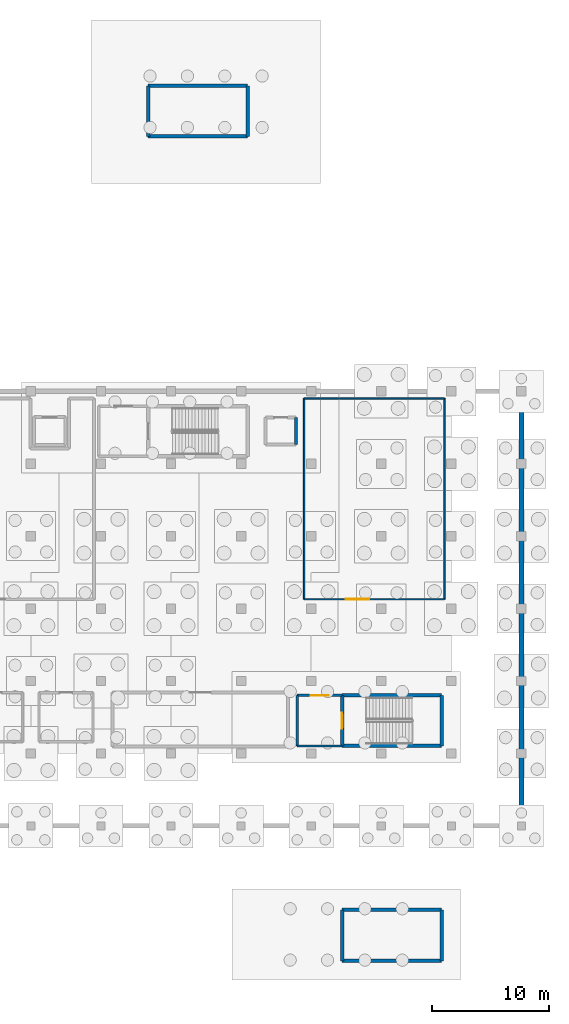
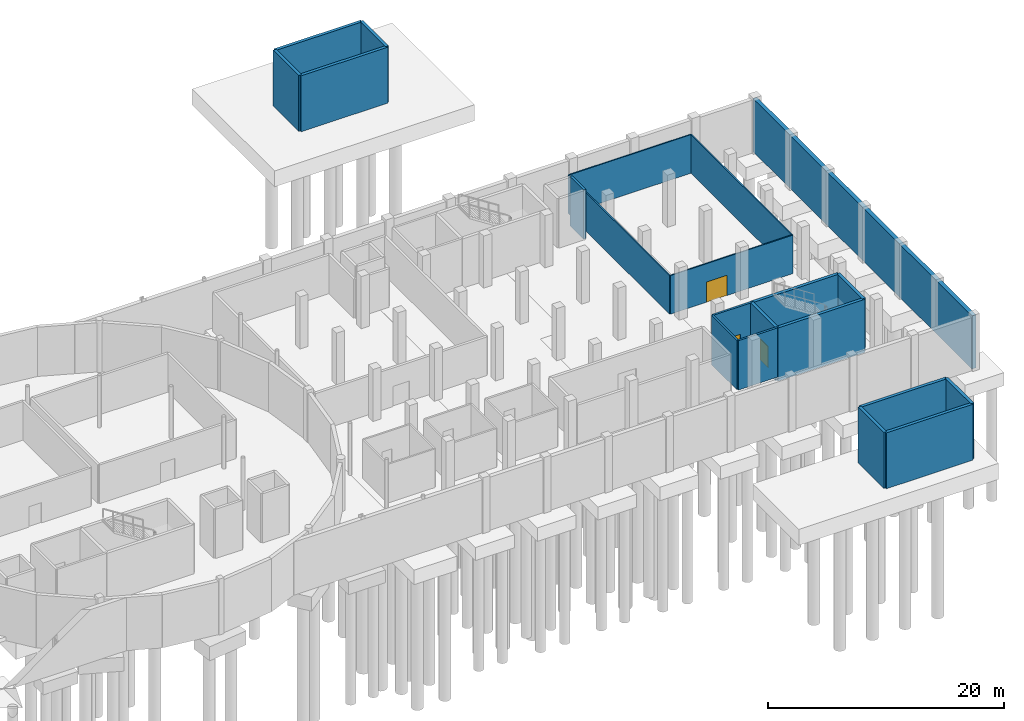
# One storey, part 14 of 19: 21 walls, 3 doors, 3 openings.
"""IFC4 building model written with IfcOpenShell, lengths in metres."""

from ifc_helpers import new_model, si_unit, direction, frame, frame_2d, origin, place, context, subcontext, project, spatial, rectangle, extrude, material, layer, layer_set, type_object, element, fill, save


model = new_model("IFC4")

# Units and contexts
model_context = context("Model", 3, precision=1e-05, world=origin(), true_north=direction((0.0, 1.0)))
body_context = subcontext(model_context, "Body", "Model", "MODEL_VIEW")
ifc_project = project(units=[si_unit("LENGTHUNIT", "METRE"), si_unit("AREAUNIT", "SQUARE_METRE"), si_unit("VOLUMEUNIT", "CUBIC_METRE"), si_unit("PLANEANGLEUNIT", "RADIAN"), si_unit("MASSUNIT", "GRAM", prefix="KILO")], contexts=[model_context])

# Site, building, storey
site_placement = place(None, origin())
site = spatial("IfcSite", under=ifc_project, at=site_placement, CompositionType="ELEMENT")
building_placement = place(site_placement, origin())
building = spatial("IfcBuilding", under=site, at=building_placement, Name="Mirzam Square Science Centre", CompositionType="ELEMENT")
storey_placement = place(building_placement, frame((0.0, 0.0, -5.39990234375)))
storey = spatial("IfcBuildingStorey", under=building, at=storey_placement, Name="B01", CompositionType="ELEMENT", Elevation=-5.39990234375)

# Walls
ifc_material_1 = material(Name="Concrete C45/55", Category="concrete")
ifc_layer_1 = layer(ifc_material_1, 0.300048828125)
ifc_layer_set_1 = layer_set([ifc_layer_1], Name="W-CORE-300")
wall_type_1 = type_object("IfcWallType", Name="W-CORE-300", PredefinedType="SHEAR", material=ifc_layer_set_1)
for number, where, z_axis, x_axis, name in (
    (1, (140.639892578125, 50.239990234375, -0.400146484375), (0.0, 0.0, 1.0), (1.0, 0.0, 0.0), "B01 CORE-5 south wall"),
    (2, (149.159912109375, 54.570068359375, -0.400146484375), (0.0, 0.0, 1.0), (-1.0, 0.0, 0.0), "B01 CORE-5 north wall"),
):
    element("IfcWall", number, at=place(storey_placement, frame(where, z_axis=z_axis, x_axis=x_axis)), inside=storey, type_object=wall_type_1, Name=name, PredefinedType="SHEAR", context=body_context, shape_type="SweptSolid", body=[
        extrude(rectangle(XDim=8.52001953125, YDim=0.300048828125, at=frame_2d((4.260009765625, 0.0))), origin(), (0.0, 0.0, 1.0), 5.5),
    ])

# Wall, opening, door
wall_1_placement = place(storey_placement, frame((140.639892578125, 54.570068359375, -0.400146484375), z_axis=(0.0, 0.0, 1.0), x_axis=(0.0, -1.0, 0.0)))
wall_1 = element("IfcWall", 3, at=wall_1_placement, inside=storey, type_object=wall_type_1, Name="B01 CORE-5 west wall", PredefinedType="SHEAR", context=body_context, shape_type="SweptSolid", body=[
    extrude(rectangle(XDim=4.330078125, YDim=0.300048828125, at=frame_2d((2.1650390625, 0.0))), origin(), (0.0, 0.0, 1.0), 5.5),
])
opening_1_placement = place(wall_1_placement, frame((1.489990234375, 0.0, 0.39990234375)))
opening_1 = element("IfcOpeningElement", 4, at=opening_1_placement, cuts=wall_1, Name="Opening DS-01", PredefinedType="OPENING", context=body_context, shape_type="SweptSolid", body=[
    extrude(rectangle(XDim=1.35009765625, YDim=2.199951171875, at=frame_2d((0.675048828125, 1.10009765625))), frame((0.0, 0.159912109375, 0.0), z_axis=(0.0, -1.0, 0.0), x_axis=(1.0, 0.0, 0.0)), (0.0, 0.0, 1.0), 0.320068359375),
])
ifc_material_2 = material(Name="Fire-Rated Powder-Coated Architectural Steel Door", Category="steel")
door_type_1 = type_object("IfcDoorType", Name="DR-STAIR-1350x2200", OperationType="NOTDEFINED", PredefinedType="DOOR", material=ifc_material_2)
door_1_placement = place(opening_1_placement, origin())
door_1 = element("IfcDoor", 5, at=door_1_placement, inside=storey, type_object=door_type_1, Name="DRS-5-B01", OperationType="SINGLE_SWING_LEFT", OverallHeight=2.199951171875, OverallWidth=1.35009765625, PredefinedType="DOOR", context=body_context, shape_type="SweptSolid", body=[
    extrude(rectangle(XDim=1.35009765625, YDim=2.199951171875, at=frame_2d((0.675048828125, 1.10009765625))), frame((0.0, 0.02490234375, 0.0), z_axis=(0.0, -1.0, 0.0), x_axis=(1.0, 0.0, 0.0)), (0.0, 0.0, 1.0), 0.050048828125),
])
fill(opening_1, door_1)

# Walls
wall_2_placement = place(storey_placement, frame((149.159912109375, 50.239990234375, -0.400146484375), z_axis=(0.0, 0.0, 1.0), x_axis=(0.0, 1.0, 0.0)))
element("IfcWall", 6, at=wall_2_placement, inside=storey, type_object=wall_type_1, Name="B01 CORE-5 east wall", PredefinedType="SHEAR", context=body_context, shape_type="SweptSolid", body=[
    extrude(rectangle(XDim=4.330078125, YDim=0.300048828125, at=frame_2d((2.1650390625, 0.0))), origin(), (0.0, 0.0, 1.0), 5.5),
])
for number, where, z_axis, x_axis, name in (
    (7, (140.639892578125, 31.840087890625, -0.400146484375), (0.0, 0.0, 1.0), (1.0, 0.0, 0.0), "B01 CORE-6 foundation south wall"),
    (8, (149.159912109375, 36.2099609375, -0.400146484375), (0.0, 0.0, 1.0), (-1.0, 0.0, 0.0), "B01 CORE-6 foundation north wall"),
):
    element("IfcWall", number, at=place(storey_placement, frame(where, z_axis=z_axis, x_axis=x_axis)), inside=storey, type_object=wall_type_1, Name=name, PredefinedType="SHEAR", context=body_context, shape_type="SweptSolid", body=[
        extrude(rectangle(XDim=8.52001953125, YDim=0.300048828125, at=frame_2d((4.260009765625, 0.0))), origin(), (0.0, 0.0, 1.0), 5.800048828125),
    ])
for number, where, z_axis, x_axis, name in (
    (9, (140.639892578125, 36.2099609375, -0.400146484375), (0.0, 0.0, 1.0), (0.0, -1.0, 0.0), "B01 CORE-6 foundation west wall"),
    (10, (149.159912109375, 31.840087890625, -0.400146484375), (0.0, 0.0, 1.0), (0.0, 1.0, 0.0), "B01 CORE-6 foundation east wall"),
):
    element("IfcWall", number, at=place(storey_placement, frame(where, z_axis=z_axis, x_axis=x_axis)), inside=storey, type_object=wall_type_1, Name=name, PredefinedType="SHEAR", context=body_context, shape_type="SweptSolid", body=[
        extrude(rectangle(XDim=4.369873046875, YDim=0.300048828125, at=frame_2d((2.18505859375, 0.0))), origin(), (0.0, 0.0, 1.0), 5.800048828125),
    ])
for number, where, z_axis, x_axis, name in (
    (11, (124.0400390625, 102.43994140625, -0.400146484375), (0.0, 0.0, 1.0), (1.0, 0.0, 0.0), "B01 CORE-7 foundation south wall"),
    (12, (132.56005859375, 106.77001953125, -0.400146484375), (0.0, 0.0, 1.0), (-1.0, 0.0, 0.0), "B01 CORE-7 foundation north wall"),
):
    element("IfcWall", number, at=place(storey_placement, frame(where, z_axis=z_axis, x_axis=x_axis)), inside=storey, type_object=wall_type_1, Name=name, PredefinedType="SHEAR", context=body_context, shape_type="SweptSolid", body=[
        extrude(rectangle(XDim=8.52001953125, YDim=0.300048828125, at=frame_2d((4.260009765625, 0.0))), origin(), (0.0, 0.0, 1.0), 5.800048828125),
    ])
for number, where, z_axis, x_axis, name in (
    (13, (124.0400390625, 106.77001953125, -0.400146484375), (0.0, 0.0, 1.0), (0.0, -1.0, 0.0), "B01 CORE-7 foundation west wall"),
    (14, (132.56005859375, 102.43994140625, -0.400146484375), (0.0, 0.0, 1.0), (0.0, 1.0, 0.0), "B01 CORE-7 foundation east wall"),
):
    element("IfcWall", number, at=place(storey_placement, frame(where, z_axis=z_axis, x_axis=x_axis)), inside=storey, type_object=wall_type_1, Name=name, PredefinedType="SHEAR", context=body_context, shape_type="SweptSolid", body=[
        extrude(rectangle(XDim=4.330078125, YDim=0.300048828125, at=frame_2d((2.1650390625, 0.0))), origin(), (0.0, 0.0, 1.0), 5.800048828125),
    ])
ifc_layer_2 = layer(ifc_material_1, 0.199951171875)
ifc_layer_set_2 = layer_set([ifc_layer_2], Name="W-LOBBY-200")
wall_type_2 = type_object("IfcWallType", Name="W-LOBBY-200", PredefinedType="SHEAR", material=ifc_layer_set_2)
wall_3_placement = place(storey_placement, frame((136.800048828125, 50.239990234375, 0.0), z_axis=(0.0, 0.0, 1.0), x_axis=(1.0, 0.0, 0.0)))
element("IfcWall", 15, at=wall_3_placement, inside=storey, type_object=wall_type_2, Name="B01 CORE-5 lobby south wall", PredefinedType="SHEAR", context=body_context, shape_type="SweptSolid", body=[
    extrude(rectangle(XDim=3.83984375, YDim=0.199951171875, at=frame_2d((1.919921875, 0.0))), origin(), (0.0, 0.0, 1.0), 5.099853515625),
])

# Wall, opening, door
wall_4_placement = place(storey_placement, frame((140.639892578125, 54.570068359375, 0.0), z_axis=(0.0, 0.0, 1.0), x_axis=(-1.0, 0.0, 0.0)))
wall_4 = element("IfcWall", 16, at=wall_4_placement, inside=storey, type_object=wall_type_2, Name="B01 CORE-5 lobby north wall", PredefinedType="SHEAR", context=body_context, shape_type="SweptSolid", body=[
    extrude(rectangle(XDim=3.83984375, YDim=0.199951171875, at=frame_2d((1.919921875, 0.0))), origin(), (0.0, 0.0, 1.0), 5.099853515625),
])
opening_2_placement = place(wall_4_placement, frame((1.14501953125, 0.0, 0.0)))
opening_2 = element("IfcOpeningElement", 17, at=opening_2_placement, cuts=wall_4, Name="Opening DL-01", PredefinedType="OPENING", context=body_context, shape_type="SweptSolid", body=[
    extrude(rectangle(XDim=1.550048828125, YDim=2.199951171875, at=frame_2d((0.77490234375, 1.10009765625))), frame((0.0, 0.10986328125, 0.0), z_axis=(0.0, -1.0, 0.0), x_axis=(1.0, 0.0, 0.0)), (0.0, 0.0, 1.0), 0.219970703125),
])
ifc_material_3 = material(Name="Fire-Rated Glazed Architectural Steel Lobby Door", Category="steel")
door_type_2 = type_object("IfcDoorType", Name="DR-LOBBY-1550x2200", OperationType="DOUBLE_DOOR_SINGLE_SWING", PredefinedType="DOOR", material=ifc_material_3)
door_2_placement = place(opening_2_placement, origin())
door_2 = element("IfcDoor", 18, at=door_2_placement, inside=storey, type_object=door_type_2, Name="DRL-5-B01", OperationType="SINGLE_SWING_LEFT", OverallHeight=2.199951171875, OverallWidth=1.550048828125, PredefinedType="DOOR", context=body_context, shape_type="SweptSolid", body=[
    extrude(rectangle(XDim=1.550048828125, YDim=2.199951171875, at=frame_2d((0.77490234375, 1.10009765625))), frame((0.0, 0.02490234375, 0.0), z_axis=(0.0, -1.0, 0.0), x_axis=(1.0, 0.0, 0.0)), (0.0, 0.0, 1.0), 0.050048828125),
])
fill(opening_2, door_2)

# Walls
wall_5_placement = place(storey_placement, frame((136.800048828125, 54.570068359375, 0.0), z_axis=(0.0, 0.0, 1.0), x_axis=(0.0, -1.0, 0.0)))
element("IfcWall", 19, at=wall_5_placement, inside=storey, type_object=wall_type_2, Name="B01 CORE-5 lobby west wall", PredefinedType="SHEAR", context=body_context, shape_type="SweptSolid", body=[
    extrude(rectangle(XDim=4.330078125, YDim=0.199951171875, at=frame_2d((2.1650390625, 0.0))), origin(), (0.0, 0.0, 1.0), 5.099853515625),
])
ifc_material_4 = material(Name="Acoustic Gypsum Stud Partition", Category="gypsum")
ifc_layer_3 = layer(ifc_material_4, 0.1201171875)
ifc_layer_set_3 = layer_set([ifc_layer_3], Name="W-PART-120")
wall_type_3 = type_object("IfcWallType", Name="W-PART-120", PredefinedType="PARTITIONING", material=ifc_layer_set_3)
wall_6_placement = place(storey_placement, frame((137.39990234375, 80.0, 0.0), z_axis=(0.0, 0.0, 1.0), x_axis=(1.0, 0.0, 0.0)))
element("IfcWall", 20, at=wall_6_placement, inside=storey, type_object=wall_type_3, Name="B01 HV Substation and Standby Generator Plant partition 37", PredefinedType="PARTITIONING", context=body_context, shape_type="SweptSolid", body=[
    extrude(rectangle(XDim=12.0, YDim=0.1201171875, at=frame_2d((6.0, 0.0))), origin(), (0.0, 0.0, 1.0), 4.0),
])
wall_7_placement = place(storey_placement, frame((149.39990234375, 80.0, 0.0), z_axis=(0.0, 0.0, 1.0), x_axis=(0.0, -1.0, 0.0)))
element("IfcWall", 21, at=wall_7_placement, inside=storey, type_object=wall_type_3, Name="B01 HV Substation and Standby Generator Plant partition 38", PredefinedType="PARTITIONING", context=body_context, shape_type="SweptSolid", body=[
    extrude(rectangle(XDim=17.199951171875, YDim=0.1201171875, at=frame_2d((8.60009765625, 0.0))), origin(), (0.0, 0.0, 1.0), 4.0),
])

# Wall, opening, door
wall_8_placement = place(storey_placement, frame((149.39990234375, 62.800048828125, 0.0), z_axis=(0.0, 0.0, 1.0), x_axis=(-1.0, 0.0, 0.0)))
wall_8 = element("IfcWall", 22, at=wall_8_placement, inside=storey, type_object=wall_type_3, Name="B01 HV Substation and Standby Generator Plant partition 39", PredefinedType="PARTITIONING", context=body_context, shape_type="SweptSolid", body=[
    extrude(rectangle(XDim=12.0, YDim=0.1201171875, at=frame_2d((6.0, 0.0))), origin(), (0.0, 0.0, 1.0), 4.0),
])
opening_3_placement = place(wall_8_placement, frame((6.43994140625, 0.0, 0.0)))
opening_3 = element("IfcOpeningElement", 23, at=opening_3_placement, cuts=wall_8, Name="Opening D-10", PredefinedType="OPENING", context=body_context, shape_type="SweptSolid", body=[
    extrude(rectangle(XDim=2.0, YDim=2.10009765625, at=frame_2d((1.0, 1.050048828125))), frame((0.0, 0.070068359375, 0.0), z_axis=(0.0, -1.0, 0.0), x_axis=(1.0, 0.0, 0.0)), (0.0, 0.0, 1.0), 0.14013671875),
])
ifc_material_5 = material(Name="Powder-Coated Architectural Steel Acoustic Door", Category="steel")
door_type_3 = type_object("IfcDoorType", Name="DR-INT-2000x2100", OperationType="DOUBLE_DOOR_SINGLE_SWING", PredefinedType="DOOR", material=ifc_material_5)
door_3_placement = place(opening_3_placement, origin())
door_3 = element("IfcDoor", 24, at=door_3_placement, inside=storey, type_object=door_type_3, Name="ID-B01-0009", OperationType="DOUBLE_DOOR_SINGLE_SWING", OverallHeight=2.10009765625, OverallWidth=2.0, PredefinedType="DOOR", context=body_context, shape_type="SweptSolid", body=[
    extrude(rectangle(XDim=2.0, YDim=2.10009765625, at=frame_2d((1.0, 1.050048828125))), frame((0.0, 0.02490234375, 0.0), z_axis=(0.0, -1.0, 0.0), x_axis=(1.0, 0.0, 0.0)), (0.0, 0.0, 1.0), 0.050048828125),
])
fill(opening_3, door_3)

# Walls
wall_9_placement = place(storey_placement, frame((137.39990234375, 62.800048828125, 0.0), z_axis=(0.0, 0.0, 1.0), x_axis=(0.0, 1.0, 0.0)))
element("IfcWall", 25, at=wall_9_placement, inside=storey, type_object=wall_type_3, Name="B01 HV Substation and Standby Generator Plant partition 40", PredefinedType="PARTITIONING", context=body_context, shape_type="SweptSolid", body=[
    extrude(rectangle(XDim=17.199951171875, YDim=0.1201171875, at=frame_2d((8.60009765625, 0.0))), origin(), (0.0, 0.0, 1.0), 4.0),
])
ifc_layer_4 = layer(ifc_material_1, 0.39990234375)
ifc_layer_set_4 = layer_set([ifc_layer_4], Name="W-RET-400")
wall_type_4 = type_object("IfcWallType", Name="W-RET-400", PredefinedType="USERDEFINED", material=ifc_layer_set_4)
wall_10_placement = place(storey_placement, frame((156.0, 80.60009765625, -0.400146484375), z_axis=(0.0, 0.0, 1.0), x_axis=(0.0, -1.0, 0.0)))
element("IfcWall", 26, at=wall_10_placement, inside=storey, type_object=wall_type_4, Name="B01 tanked retaining wall 05", ObjectType="RETAINING WALL", PredefinedType="USERDEFINED", context=body_context, shape_type="SweptSolid", body=[
    extrude(rectangle(XDim=37.2001953125, YDim=0.39990234375, at=frame_2d((18.60009765625, 0.0))), origin(), (0.0, 0.0, 1.0), 5.5),
])
ifc_layer_5 = layer(ifc_material_1, 0.25)
ifc_layer_set_5 = layer_set([ifc_layer_5], Name="W-SHAFT-250")
wall_type_5 = type_object("IfcWallType", Name="W-SHAFT-250", PredefinedType="SHEAR", material=ifc_layer_set_5)
wall_11_placement = place(storey_placement, frame((136.699951171875, 76.050048828125, 0.0), z_axis=(0.0, 0.0, 1.0), x_axis=(0.0, 1.0, 0.0)))
element("IfcWall", 27, at=wall_11_placement, inside=storey, type_object=wall_type_5, Name="B01 lift LP-03 shaft wall E", PredefinedType="SHEAR", context=body_context, shape_type="SweptSolid", body=[
    extrude(rectangle(XDim=2.300048828125, YDim=0.25, at=frame_2d((1.14990234375, 0.0))), origin(), (0.0, 0.0, 1.0), 5.099853515625),
])

save(model, "model.ifc")
